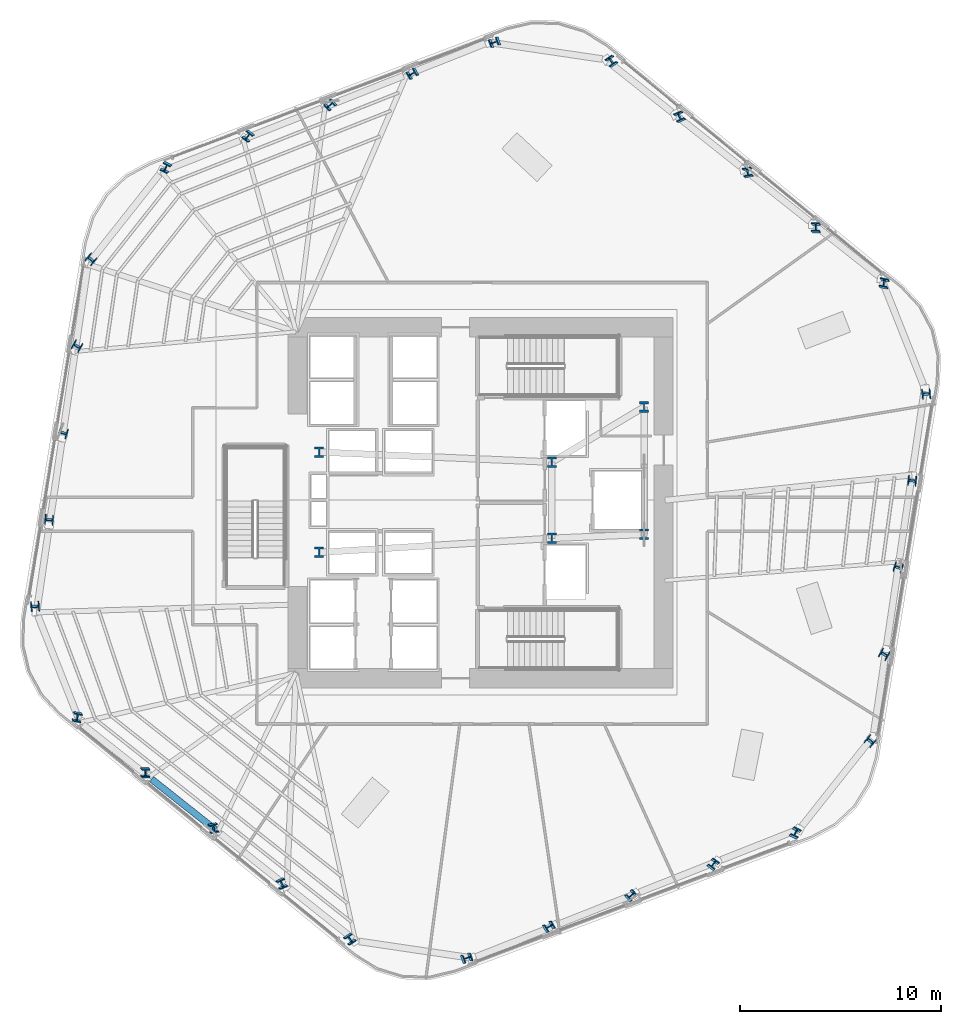
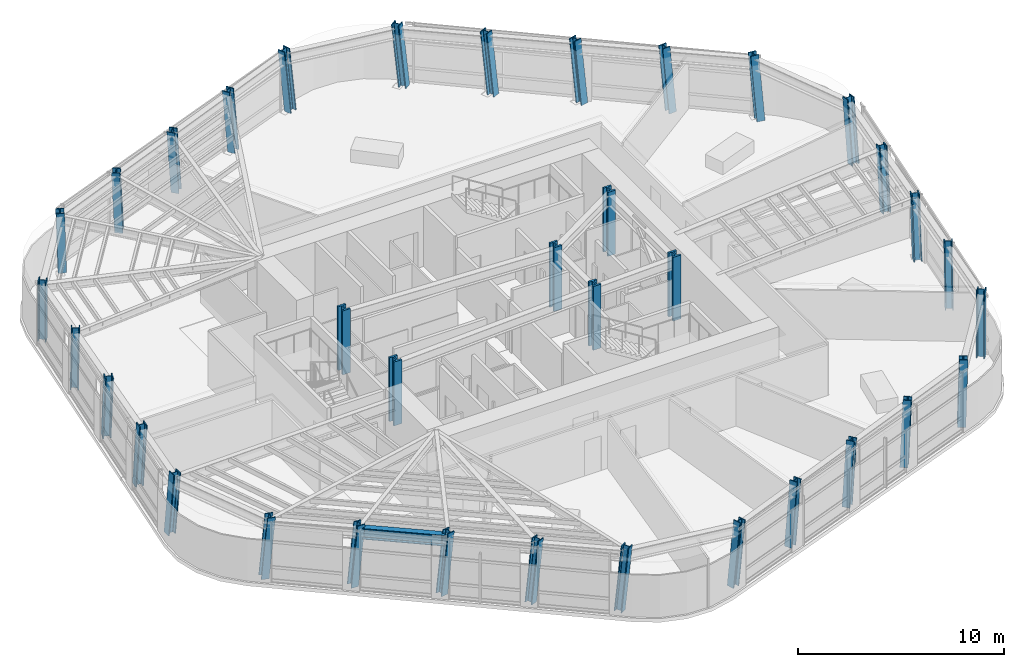
# One storey, part 1 of 18: 36 columns, 1 beam.
"""IFC4 building model written with IfcOpenShell, lengths in metres."""

from ifc_helpers import new_model, si_unit, direction, frame, origin, origin_2d, place, context, subcontext, project, spatial, i_section, extrude, material, material_profile, profile_set, type_object, element, save


model = new_model("IFC4")

# Units and contexts
model_context = context("Model", 3, precision=1e-05, world=origin(), true_north=direction((0.0, 1.0)))
body_context = subcontext(model_context, "Body", "Model", "MODEL_VIEW")
ifc_project = project(units=[si_unit("LENGTHUNIT", "METRE"), si_unit("AREAUNIT", "SQUARE_METRE"), si_unit("VOLUMEUNIT", "CUBIC_METRE"), si_unit("PLANEANGLEUNIT", "RADIAN"), si_unit("MASSUNIT", "GRAM", prefix="KILO")], contexts=[model_context])

# Site, building, storey
site_placement = place(None, origin())
site = spatial("IfcSite", under=ifc_project, at=site_placement, CompositionType="ELEMENT")
building_placement = place(site_placement, origin())
building = spatial("IfcBuilding", under=site, at=building_placement, Name="Valkerne Bourse Tower", CompositionType="ELEMENT")
storey_placement = place(building_placement, frame((0.0, 0.0, 112.39990234375)))
storey = spatial("IfcBuildingStorey", under=building, at=storey_placement, Name="L28", CompositionType="ELEMENT", Elevation=112.39990234375)

# Columns
ifc_material_1 = material(Name="Steel ASTM A913 Grade 65", Category="steel")
ifc_material_profile_1 = material_profile(ifc_material_1, i_section(OverallWidth=0.408935546875, OverallDepth=0.42431640625, WebThickness=0.03271484375, FlangeThickness=0.052490234375, FilletRadius=0.025390625, at=origin_2d()), Name="W14X283")
ifc_profile_set_1 = profile_set([ifc_material_profile_1], Name="Steel ASTM A913 Grade 65")
column_type_1 = type_object("IfcColumnType", Name="COL-W14X283", PredefinedType="COLUMN", material=ifc_profile_set_1)
column_1_placement = place(storey_placement, frame((66.93994140625, 37.766357421875, 0.010009765625), z_axis=(-0.045190040095, 0.082923402166, 0.995530797941), x_axis=(0.981221523449, -0.183375307382, 0.059814869084)))
element("IfcColumn", 1, at=column_1_placement, inside=storey, type_object=column_type_1, Name="L28 Helical Perimeter Tube Column F1-C1", PredefinedType="COLUMN", context=body_context, shape_type="SweptSolid", body=[
    extrude(i_section(OverallWidth=0.408935546875, OverallDepth=0.42431640625, WebThickness=0.03271484375, FlangeThickness=0.052490234375, FilletRadius=0.025390625, at=origin_2d()), origin(), (0.0, 0.0, 1.0), 3.798095703125),
])
column_2_placement = place(storey_placement, frame((63.54833984375, 40.54248046875, 0.010009765625), z_axis=(-0.056595856704, 0.068815416674, 0.996022764515), x_axis=(0.998397090049, 0.00430008989, 0.056433676184)))
element("IfcColumn", 2, at=column_2_placement, inside=storey, type_object=column_type_1, Name="L28 Helical Perimeter Tube Column F1-C2", PredefinedType="COLUMN", context=body_context, shape_type="SweptSolid", body=[
    extrude(i_section(OverallWidth=0.408935546875, OverallDepth=0.42431640625, WebThickness=0.03271484375, FlangeThickness=0.052490234375, FilletRadius=0.025390625, at=origin_2d()), origin(), (0.0, 0.0, 1.0), 3.796142578125),
])
column_3_placement = place(storey_placement, frame((60.156494140625, 43.318603515625, 0.010009765625), z_axis=(-0.067926262102, 0.054739819175, 0.996187520055), x_axis=(0.976859719818, 0.206620433465, 0.055254721718)))
element("IfcColumn", 3, at=column_3_placement, inside=storey, type_object=column_type_1, Name="L28 Helical Perimeter Tube Column F1-C3", PredefinedType="COLUMN", context=body_context, shape_type="SweptSolid", body=[
    extrude(i_section(OverallWidth=0.408935546875, OverallDepth=0.42431640625, WebThickness=0.03271484375, FlangeThickness=0.052490234375, FilletRadius=0.025390625, at=origin_2d()), origin(), (0.0, 0.0, 1.0), 3.79541015625),
])
column_4_placement = place(storey_placement, frame((56.764892578125, 46.094482421875, 0.010009765625), z_axis=(-0.079362353639, 0.040645873177, 0.996016832096), x_axis=(0.914253501953, 0.401187030538, 0.056475664629)))
element("IfcColumn", 4, at=column_4_placement, inside=storey, type_object=column_type_1, Name="L28 Helical Perimeter Tube Column F1-C4", PredefinedType="COLUMN", context=body_context, shape_type="SweptSolid", body=[
    extrude(i_section(OverallWidth=0.408935546875, OverallDepth=0.42431640625, WebThickness=0.03271484375, FlangeThickness=0.052490234375, FilletRadius=0.025390625, at=origin_2d()), origin(), (0.0, 0.0, 1.0), 3.796142578125),
])
for number, where, z_axis, x_axis, name in (
    (5, (53.373046875, 48.87060546875, 0.010009765625), (-0.090637294096, 0.026484088771, 0.995531754371), (0.822281484087, 0.565929418143, 0.059808482746), "L28 Helical Perimeter Tube Column F1-C5"),
    (6, (47.546142578125, 49.824951171875, 0.010009765625), (-0.094429642785, 0.002314136923, 0.995528848067), (-0.32887123602, 0.943784359128, -0.03338852474), "L28 Helical Perimeter Tube Column F2-C1"),
):
    element("IfcColumn", number, at=place(storey_placement, frame(where, z_axis=z_axis, x_axis=x_axis)), inside=storey, type_object=column_type_1, Name=name, PredefinedType="COLUMN", context=body_context, shape_type="SweptSolid", body=[
        extrude(i_section(OverallWidth=0.408935546875, OverallDepth=0.42431640625, WebThickness=0.03271484375, FlangeThickness=0.052490234375, FilletRadius=0.025390625, at=origin_2d()), origin(), (0.0, 0.0, 1.0), 3.798095703125),
    ])
column_5_placement = place(storey_placement, frame((43.446044921875, 48.275634765625, 0.010009765625), z_axis=(-0.087916433765, -0.014534831039, 0.996021806669), x_axis=(-0.499935243594, 0.865489816873, -0.031498080931)))
element("IfcColumn", 7, at=column_5_placement, inside=storey, type_object=column_type_1, Name="L28 Helical Perimeter Tube Column F2-C2", PredefinedType="COLUMN", context=body_context, shape_type="SweptSolid", body=[
    extrude(i_section(OverallWidth=0.408935546875, OverallDepth=0.42431640625, WebThickness=0.03271484375, FlangeThickness=0.052490234375, FilletRadius=0.025390625, at=origin_2d()), origin(), (0.0, 0.0, 1.0), 3.796142578125),
])
column_6_placement = place(storey_placement, frame((39.345947265625, 46.726318359375, 0.010009765625), z_axis=(-0.081369999962, -0.031454490104, 0.996187501507), x_axis=(-0.665725176683, 0.74555959121, -0.03083642464)))
element("IfcColumn", 8, at=column_6_placement, inside=storey, type_object=column_type_1, Name="L28 Helical Perimeter Tube Column F2-C3", PredefinedType="COLUMN", context=body_context, shape_type="SweptSolid", body=[
    extrude(i_section(OverallWidth=0.408935546875, OverallDepth=0.42431640625, WebThickness=0.03271484375, FlangeThickness=0.052490234375, FilletRadius=0.025390625, at=origin_2d()), origin(), (0.0, 0.0, 1.0), 3.79541015625),
])
column_7_placement = place(storey_placement, frame((35.24609375, 45.177001953125, 0.010009765625), z_axis=(-0.074860712883, -0.048363622069, 0.996020498648), x_axis=(-0.803343450626, 0.594682138351, -0.031503248433)))
element("IfcColumn", 9, at=column_7_placement, inside=storey, type_object=column_type_1, Name="L28 Helical Perimeter Tube Column F2-C4", PredefinedType="COLUMN", context=body_context, shape_type="SweptSolid", body=[
    extrude(i_section(OverallWidth=0.408935546875, OverallDepth=0.42431640625, WebThickness=0.03271484375, FlangeThickness=0.052490234375, FilletRadius=0.025390625, at=origin_2d()), origin(), (0.0, 0.0, 1.0), 3.796142578125),
])
for number, where, z_axis, x_axis, name in (
    (10, (31.14599609375, 43.627685546875, 0.010009765625), (-0.068267206797, -0.065245965065, 0.995531291582), (-0.900718417929, 0.433119089739, -0.033379420401), "L28 Helical Perimeter Tube Column F2-C5"),
    (11, (27.406005859375, 39.05859375, 0.010009765625), (-0.049239689674, -0.080609100328, 0.995528817215), (-0.650042711607, -0.754158546914, -0.093216732416), "L28 Helical Perimeter Tube Column F3-C1"),
):
    element("IfcColumn", number, at=place(storey_placement, frame(where, z_axis=z_axis, x_axis=x_axis)), inside=storey, type_object=column_type_1, Name=name, PredefinedType="COLUMN", context=body_context, shape_type="SweptSolid", body=[
        extrude(i_section(OverallWidth=0.408935546875, OverallDepth=0.42431640625, WebThickness=0.03271484375, FlangeThickness=0.052490234375, FilletRadius=0.025390625, at=origin_2d()), origin(), (0.0, 0.0, 1.0), 3.798095703125),
    ])
column_8_placement = place(storey_placement, frame((26.69775390625, 34.733154296875, 0.010009765625), z_axis=(-0.031320656555, -0.083414561709, 0.996022603844), x_axis=(-0.496809093738, -0.863393933456, -0.08792974497)))
element("IfcColumn", 12, at=column_8_placement, inside=storey, type_object=column_type_1, Name="L28 Helical Perimeter Tube Column F3-C2", PredefinedType="COLUMN", context=body_context, shape_type="SweptSolid", body=[
    extrude(i_section(OverallWidth=0.408935546875, OverallDepth=0.42431640625, WebThickness=0.03271484375, FlangeThickness=0.052490234375, FilletRadius=0.025390625, at=origin_2d()), origin(), (0.0, 0.0, 1.0), 3.796142578125),
])
column_9_placement = place(storey_placement, frame((25.989501953125, 30.407958984375, 0.010009765625), z_axis=(-0.013443666368, -0.086258165545, 0.996182110214), x_axis=(-0.311066561919, -0.94647526357, -0.08615201394)))
element("IfcColumn", 13, at=column_9_placement, inside=storey, type_object=column_type_1, Name="L28 Helical Perimeter Tube Column F3-C3", PredefinedType="COLUMN", context=body_context, shape_type="SweptSolid", body=[
    extrude(i_section(OverallWidth=0.408935546875, OverallDepth=0.42431640625, WebThickness=0.03271484375, FlangeThickness=0.052490234375, FilletRadius=0.025390625, at=origin_2d()), origin(), (0.0, 0.0, 1.0), 3.79541015625),
])
column_10_placement = place(storey_placement, frame((25.28125, 26.08251953125, 0.010009765625), z_axis=(0.004437621258, -0.089009678559, 0.996020875605), x_axis=(-0.112459741573, -0.989756441584, -0.087948808225)))
element("IfcColumn", 14, at=column_10_placement, inside=storey, type_object=column_type_1, Name="L28 Helical Perimeter Tube Column F3-C4", PredefinedType="COLUMN", context=body_context, shape_type="SweptSolid", body=[
    extrude(i_section(OverallWidth=0.408935546875, OverallDepth=0.42431640625, WebThickness=0.03271484375, FlangeThickness=0.052490234375, FilletRadius=0.025390625, at=origin_2d()), origin(), (0.0, 0.0, 1.0), 3.796142578125),
])
for number, where, z_axis, x_axis, name in (
    (15, (24.57275390625, 21.757080078125, 0.010009765625), (0.022434324077, -0.091730029964, 0.995531166115), (0.076419655329, -0.992711051485, -0.093192298714), "L28 Helical Perimeter Tube Column F3-C5"),
    (16, (26.659912109375, 16.233642578125, 0.010009765625), (0.045190040095, -0.082923402166, 0.995530797941), (0.981221523449, -0.183375307382, -0.059814869084), "L28 Helical Perimeter Tube Column F4-C1"),
):
    element("IfcColumn", number, at=place(storey_placement, frame(where, z_axis=z_axis, x_axis=x_axis)), inside=storey, type_object=column_type_1, Name=name, PredefinedType="COLUMN", context=body_context, shape_type="SweptSolid", body=[
        extrude(i_section(OverallWidth=0.408935546875, OverallDepth=0.42431640625, WebThickness=0.03271484375, FlangeThickness=0.052490234375, FilletRadius=0.025390625, at=origin_2d()), origin(), (0.0, 0.0, 1.0), 3.798095703125),
    ])
column_11_placement = place(storey_placement, frame((30.0517578125, 13.45751953125, 0.010009765625), z_axis=(0.056595856704, -0.068815416674, 0.996022764515), x_axis=(0.998397090049, 0.00430008989, -0.056433676184)))
element("IfcColumn", 17, at=column_11_placement, inside=storey, type_object=column_type_1, Name="L28 Helical Perimeter Tube Column F4-C2", PredefinedType="COLUMN", context=body_context, shape_type="SweptSolid", body=[
    extrude(i_section(OverallWidth=0.408935546875, OverallDepth=0.42431640625, WebThickness=0.03271484375, FlangeThickness=0.052490234375, FilletRadius=0.025390625, at=origin_2d()), origin(), (0.0, 0.0, 1.0), 3.796142578125),
])
column_12_placement = place(storey_placement, frame((33.443359375, 10.681396484375, 0.010009765625), z_axis=(0.067990289004, -0.054739579889, 0.996183165384), x_axis=(0.97676192545, 0.207073842167, -0.055286208789)))
element("IfcColumn", 18, at=column_12_placement, inside=storey, type_object=column_type_1, Name="L28 Helical Perimeter Tube Column F4-C3", PredefinedType="COLUMN", context=body_context, shape_type="SweptSolid", body=[
    extrude(i_section(OverallWidth=0.408935546875, OverallDepth=0.42431640625, WebThickness=0.03271484375, FlangeThickness=0.052490234375, FilletRadius=0.025390625, at=origin_2d()), origin(), (0.0, 0.0, 1.0), 3.79541015625),
])
column_13_placement = place(storey_placement, frame((36.835205078125, 7.905517578125, 0.010009765625), z_axis=(0.079298445128, -0.040646080552, 0.996021913783), x_axis=(0.914388309123, 0.400884747113, -0.056439699424)))
element("IfcColumn", 19, at=column_13_placement, inside=storey, type_object=column_type_1, Name="L28 Helical Perimeter Tube Column F4-C4", PredefinedType="COLUMN", context=body_context, shape_type="SweptSolid", body=[
    extrude(i_section(OverallWidth=0.408935546875, OverallDepth=0.42431640625, WebThickness=0.03271484375, FlangeThickness=0.052490234375, FilletRadius=0.025390625, at=origin_2d()), origin(), (0.0, 0.0, 1.0), 3.796142578125),
])
for number, where, z_axis, x_axis, name in (
    (20, (40.226806640625, 5.12939453125, 0.010009765625), (0.090701047225, -0.026483934413, 0.995525952073), (0.822169958276, 0.566087334679, -0.05984721568), "L28 Helical Perimeter Tube Column F4-C5"),
    (21, (46.053955078125, 4.175048828125, 0.010009765625), (0.094429642785, -0.002314136923, 0.995528848067), (-0.32887123602, 0.943784359128, 0.03338852474), "L28 Helical Perimeter Tube Column F5-C1"),
):
    element("IfcColumn", number, at=place(storey_placement, frame(where, z_axis=z_axis, x_axis=x_axis)), inside=storey, type_object=column_type_1, Name=name, PredefinedType="COLUMN", context=body_context, shape_type="SweptSolid", body=[
        extrude(i_section(OverallWidth=0.408935546875, OverallDepth=0.42431640625, WebThickness=0.03271484375, FlangeThickness=0.052490234375, FilletRadius=0.025390625, at=origin_2d()), origin(), (0.0, 0.0, 1.0), 3.798095703125),
    ])
column_14_placement = place(storey_placement, frame((50.15380859375, 5.724365234375, 0.010009765625), z_axis=(0.087980249538, 0.014534748827, 0.996016172945), x_axis=(-0.499831460052, 0.865548947339, 0.031520331585)))
element("IfcColumn", 22, at=column_14_placement, inside=storey, type_object=column_type_1, Name="L28 Helical Perimeter Tube Column F5-C2", PredefinedType="COLUMN", context=body_context, shape_type="SweptSolid", body=[
    extrude(i_section(OverallWidth=0.408935546875, OverallDepth=0.42431640625, WebThickness=0.03271484375, FlangeThickness=0.052490234375, FilletRadius=0.025390625, at=origin_2d()), origin(), (0.0, 0.0, 1.0), 3.796142578125),
])
column_15_placement = place(storey_placement, frame((54.25390625, 7.273681640625, 0.010009765625), z_axis=(0.081433897676, 0.031454325406, 0.996182285389), x_axis=(-0.66552535848, 0.745737094195, 0.030857471736)))
element("IfcColumn", 23, at=column_15_placement, inside=storey, type_object=column_type_1, Name="L28 Helical Perimeter Tube Column F5-C3", PredefinedType="COLUMN", context=body_context, shape_type="SweptSolid", body=[
    extrude(i_section(OverallWidth=0.408935546875, OverallDepth=0.42431640625, WebThickness=0.03271484375, FlangeThickness=0.052490234375, FilletRadius=0.025390625, at=origin_2d()), origin(), (0.0, 0.0, 1.0), 3.79541015625),
])
column_16_placement = place(storey_placement, frame((58.35400390625, 8.822998046875, 0.010009765625), z_axis=(0.074860712883, 0.048363622069, 0.996020498648), x_axis=(-0.803343450626, 0.594682138351, 0.031503248433)))
element("IfcColumn", 24, at=column_16_placement, inside=storey, type_object=column_type_1, Name="L28 Helical Perimeter Tube Column F5-C4", PredefinedType="COLUMN", context=body_context, shape_type="SweptSolid", body=[
    extrude(i_section(OverallWidth=0.408935546875, OverallDepth=0.42431640625, WebThickness=0.03271484375, FlangeThickness=0.052490234375, FilletRadius=0.025390625, at=origin_2d()), origin(), (0.0, 0.0, 1.0), 3.796142578125),
])
for number, where, z_axis, x_axis, name in (
    (25, (62.4541015625, 10.372314453125, 0.010009765625), (0.068267206797, 0.065245965065, 0.995531291582), (-0.900718417929, 0.433119089739, 0.033379420401), "L28 Helical Perimeter Tube Column F5-C5"),
    (26, (66.19384765625, 14.94140625, 0.010009765625), (0.049239689674, 0.080609100328, 0.995528817215), (-0.650042711607, -0.754158546914, 0.093216732416), "L28 Helical Perimeter Tube Column F6-C1"),
):
    element("IfcColumn", number, at=place(storey_placement, frame(where, z_axis=z_axis, x_axis=x_axis)), inside=storey, type_object=column_type_1, Name=name, PredefinedType="COLUMN", context=body_context, shape_type="SweptSolid", body=[
        extrude(i_section(OverallWidth=0.408935546875, OverallDepth=0.42431640625, WebThickness=0.03271484375, FlangeThickness=0.052490234375, FilletRadius=0.025390625, at=origin_2d()), origin(), (0.0, 0.0, 1.0), 3.798095703125),
    ])
column_17_placement = place(storey_placement, frame((66.902099609375, 19.266845703125, 0.010009765625), z_axis=(0.031384906734, 0.083414393512, 0.996020595462), x_axis=(-0.497391563878, -0.863056252994, 0.087951897934)))
element("IfcColumn", 27, at=column_17_placement, inside=storey, type_object=column_type_1, Name="L28 Helical Perimeter Tube Column F6-C2", PredefinedType="COLUMN", context=body_context, shape_type="SweptSolid", body=[
    extrude(i_section(OverallWidth=0.408935546875, OverallDepth=0.42431640625, WebThickness=0.03271484375, FlangeThickness=0.052490234375, FilletRadius=0.025390625, at=origin_2d()), origin(), (0.0, 0.0, 1.0), 3.796142578125),
])
column_18_placement = place(storey_placement, frame((67.610595703125, 23.592041015625, 0.010009765625), z_axis=(0.013443666368, 0.086258165545, 0.996182110214), x_axis=(-0.311066561919, -0.94647526357, 0.08615201394)))
element("IfcColumn", 28, at=column_18_placement, inside=storey, type_object=column_type_1, Name="L28 Helical Perimeter Tube Column F6-C3", PredefinedType="COLUMN", context=body_context, shape_type="SweptSolid", body=[
    extrude(i_section(OverallWidth=0.408935546875, OverallDepth=0.42431640625, WebThickness=0.03271484375, FlangeThickness=0.052490234375, FilletRadius=0.025390625, at=origin_2d()), origin(), (0.0, 0.0, 1.0), 3.79541015625),
])
column_19_placement = place(storey_placement, frame((68.31884765625, 27.91748046875, 0.010009765625), z_axis=(-0.004501933315, 0.089009652971, 0.996020589282), x_axis=(-0.111746383646, -0.989836954959, 0.087951966088)))
element("IfcColumn", 29, at=column_19_placement, inside=storey, type_object=column_type_1, Name="L28 Helical Perimeter Tube Column F6-C4", PredefinedType="COLUMN", context=body_context, shape_type="SweptSolid", body=[
    extrude(i_section(OverallWidth=0.408935546875, OverallDepth=0.42431640625, WebThickness=0.03271484375, FlangeThickness=0.052490234375, FilletRadius=0.025390625, at=origin_2d()), origin(), (0.0, 0.0, 1.0), 3.796142578125),
])
column_20_placement = place(storey_placement, frame((69.027099609375, 32.242919921875, 0.010009765625), z_axis=(-0.02237007456, 0.09173016206, 0.995532599734), x_axis=(0.075763466799, -0.992762747307, 0.093177382763)))
element("IfcColumn", 30, at=column_20_placement, inside=storey, type_object=column_type_1, Name="L28 Helical Perimeter Tube Column F6-C5", PredefinedType="COLUMN", context=body_context, shape_type="SweptSolid", body=[
    extrude(i_section(OverallWidth=0.408935546875, OverallDepth=0.42431640625, WebThickness=0.03271484375, FlangeThickness=0.052490234375, FilletRadius=0.025390625, at=origin_2d()), origin(), (0.0, 0.0, 1.0), 3.7978515625),
])
ifc_material_profile_2 = material_profile(ifc_material_1, i_section(OverallWidth=0.44189453125, OverallDepth=0.531005859375, WebThickness=0.06591796875, FlangeThickness=0.105712890625, FilletRadius=0.030517578125, at=origin_2d()), Name="W14X605")
ifc_profile_set_2 = profile_set([ifc_material_profile_2], Name="Steel ASTM A913 Grade 65")
column_type_2 = type_object("IfcColumnType", Name="COL-W14X605", PredefinedType="COLUMN", material=ifc_profile_set_2)
for number, where, z_axis, x_axis, name in (
    (31, (38.75, 24.39990234375, 0.005126953125), (0.0, 0.0, 1.0), (1.0, 0.0, 0.0), "L28 Core Frame Column CC-SW"),
    (32, (38.75, 29.39990234375, 0.005126953125), (0.0, 0.0, 1.0), (1.0, 0.0, 0.0), "L28 Core Frame Column CC-NW"),
    (33, (50.35009765625, 25.10009765625, 0.005126953125), (0.0, 0.0, 1.0), (1.0, 0.0, 0.0), "L28 Core Frame Column CC-CE1"),
    (34, (50.35009765625, 28.89990234375, 0.005126953125), (0.0, 0.0, 1.0), (1.0, 0.0, 0.0), "L28 Core Frame Column CC-CE2"),
    (35, (54.949951171875, 25.300048828125, 0.005126953125), (0.0, 0.0, 1.0), (1.0, 0.0, 0.0), "L28 Core Frame Column CC-SE"),
    (36, (54.949951171875, 31.64990234375, 0.005126953125), (0.0, 0.0, 1.0), (1.0, 0.0, 0.0), "L28 Core Frame Column CC-NE"),
):
    element("IfcColumn", number, at=place(storey_placement, frame(where, z_axis=z_axis, x_axis=x_axis)), inside=storey, type_object=column_type_2, Name=name, PredefinedType="COLUMN", context=body_context, shape_type="SweptSolid", body=[
        extrude(i_section(OverallWidth=0.44189453125, OverallDepth=0.531005859375, WebThickness=0.06591796875, FlangeThickness=0.105712890625, FilletRadius=0.030517578125, at=origin_2d()), origin(), (0.0, 0.0, 1.0), 3.794921875),
    ])

# Beam
ifc_material_2 = material(Name="Steel ASTM A992", Category="steel")
ifc_material_profile_3 = material_profile(ifc_material_2, i_section(OverallWidth=0.330078125, OverallDepth=0.647705078125, WebThickness=0.0205078125, FlangeThickness=0.037109375, FilletRadius=0.020263671875, at=origin_2d()), Name="W24X192")
ifc_profile_set_3 = profile_set([ifc_material_profile_3], Name="Steel ASTM A992")
beam_type = type_object("IfcBeamType", Name="BM-W24X192", PredefinedType="SPANDREL", material=ifc_profile_set_3)
beam_placement = place(storey_placement, frame((30.399658203125, 13.090576171875, 3.25634765625), z_axis=(0.78370039611, -0.621139025611, 0.0), x_axis=(0.621139025611, 0.78370039611, 0.0)))
element("IfcBeam", 37, at=beam_placement, inside=storey, type_object=beam_type, Name="L28 Hexagonal Spandrel Ring Beam 16", PredefinedType="SPANDREL", context=body_context, shape_type="SweptSolid", body=[
    extrude(i_section(OverallWidth=0.330078125, OverallDepth=0.647705078125, WebThickness=0.0205078125, FlangeThickness=0.037109375, FilletRadius=0.020263671875, at=origin_2d()), origin(), (0.0, 0.0, 1.0), 4.04296875),
])

save(model, "model.ifc")
